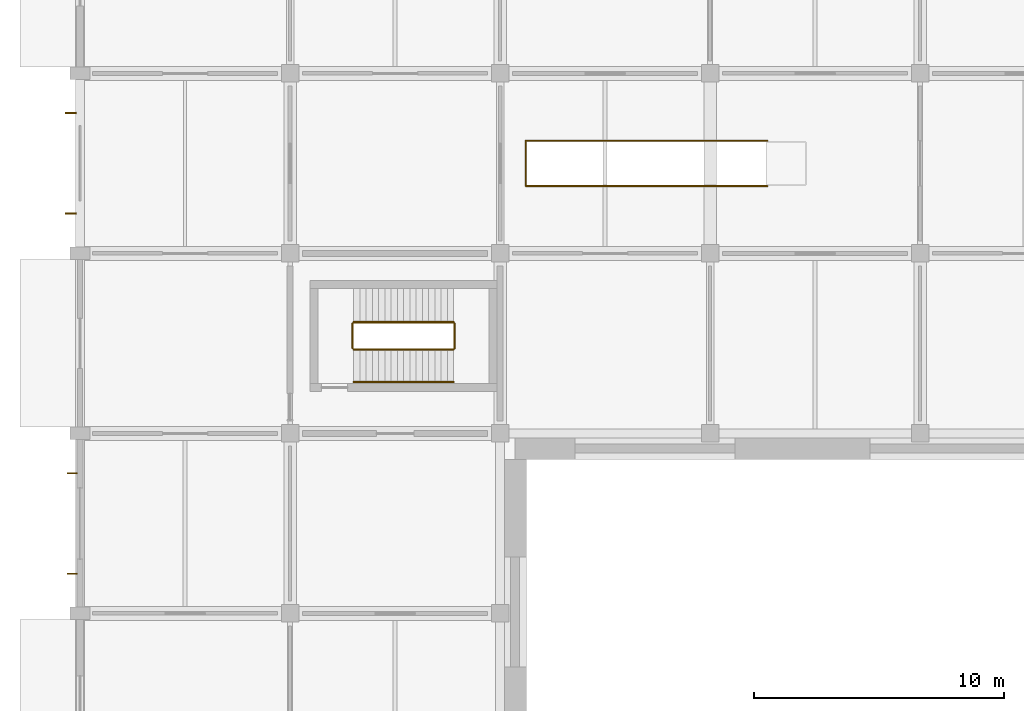
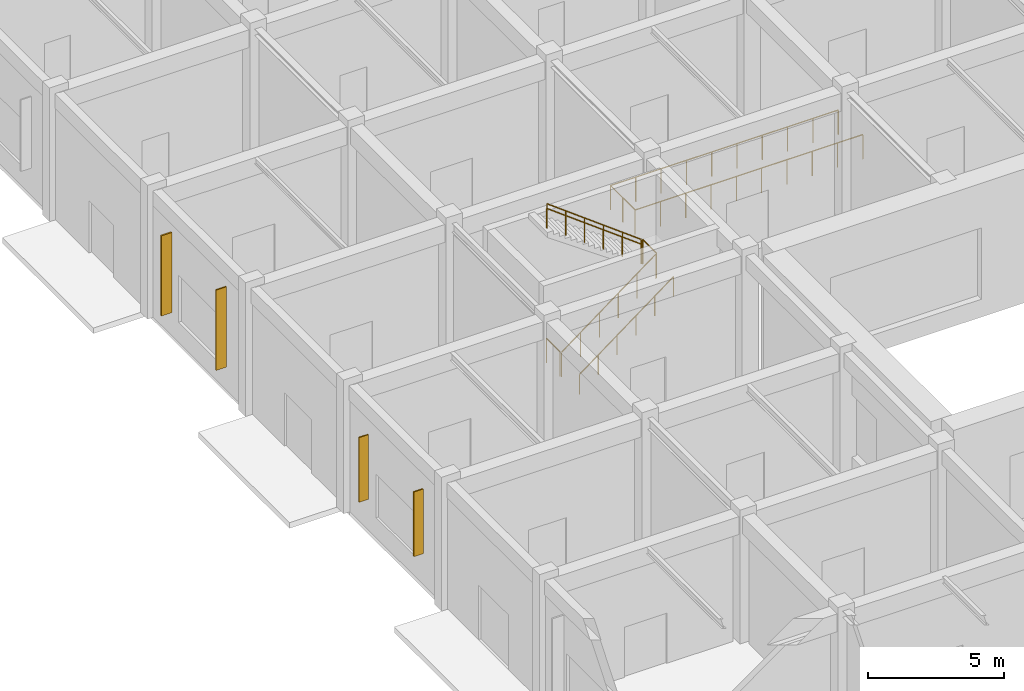
# One storey, part 31 of 39: 9 railings, 4 shading devices.
"""IFC4 building model written with IfcOpenShell, lengths in metres."""

from ifc_helpers import new_model, si_unit, derived_unit, direction, frame, origin, origin_2d, place, context, subcontext, project, spatial, rectangle, circle, extrude, material, layer, layer_set, type_object, element, save


model = new_model("IFC4")

# Units and contexts
model_context = context("Model", 3, precision=1e-05, world=origin(), true_north=direction((0.0, 1.0)))
body_context = subcontext(model_context, "Body", "Model", "MODEL_VIEW")
ifc_project = project(units=[si_unit("LENGTHUNIT", "METRE"), si_unit("AREAUNIT", "SQUARE_METRE"), si_unit("VOLUMEUNIT", "CUBIC_METRE"), si_unit("PLANEANGLEUNIT", "RADIAN"), si_unit("MASSUNIT", "GRAM", prefix="KILO"), derived_unit("THERMALTRANSMITTANCEUNIT", [(si_unit("MASSUNIT", "GRAM", prefix="KILO"), 1), (si_unit("TIMEUNIT", "SECOND"), -3), (si_unit("THERMODYNAMICTEMPERATUREUNIT", "KELVIN"), -1)])], contexts=[model_context])

# Site, building, storey
site_placement = place(None, origin())
site = spatial("IfcSite", under=ifc_project, at=site_placement, CompositionType="ELEMENT")
building_placement = place(site_placement, origin())
building = spatial("IfcBuilding", under=site, at=building_placement, Name="Veldstrom Oceanarium and Marine Research Institute", CompositionType="ELEMENT")
storey_placement = place(building_placement, origin())
storey = spatial("IfcBuildingStorey", under=building, at=storey_placement, Name="L00", CompositionType="ELEMENT", Elevation=0.0)

# Railings
ifc_material_1 = material(Name="Duplex Stainless Steel Balustrade", Category="steel")
ifc_layer_1 = layer(ifc_material_1, 0.06005859375)
ifc_layer_set_1 = layer_set([ifc_layer_1], Name="ARC-RLG-GR1")
railing_type_1 = type_object("IfcRailingType", Name="ARC-RLG-GR1", PredefinedType="GUARDRAIL", material=ifc_layer_set_1)
railing_1_placement = place(storey_placement, frame((10.89990234375, 39.39990234375, 0.0)))
element("IfcRailing", 1, at=railing_1_placement, inside=storey, type_object=railing_type_1, Name="Stair Well Landing Guard ST3 L00", PredefinedType="GUARDRAIL", context=body_context, shape_type="SweptSolid", body=[
    extrude(circle(Radius=0.02392578125, at=origin_2d()), frame((0.0, 0.0, 1.09619140625), z_axis=(0.0, 1.0, 0.0), x_axis=(-1.0, 0.0, 0.0)), (0.0, 0.0, 1.0), 1.0),
    extrude(circle(Radius=0.02099609375, at=origin_2d()), origin(), (0.0, 0.0, 1.0), 1.072021484375),
    extrude(circle(Radius=0.02099609375, at=origin_2d()), frame((0.0, 1.0, 0.0)), (0.0, 0.0, 1.0), 1.072021484375),
])
railing_2_placement = place(storey_placement, frame((10.93994140625, 39.360107421875, 0.0)))
element("IfcRailing", 2, at=railing_2_placement, inside=storey, type_object=railing_type_1, Name="Stair Flight Guardrail ST3-L00-1", PredefinedType="GUARDRAIL", context=body_context, shape_type="SweptSolid", body=[
    extrude(circle(Radius=0.02392578125, at=origin_2d()), frame((0.0, 0.0, 1.09619140625), z_axis=(0.8, 0.0, 0.6), x_axis=(0.0, 1.0, 0.0)), (0.0, 0.0, 1.0), 5.0),
    extrude(circle(Radius=0.02099609375, at=origin_2d()), origin(), (0.0, 0.0, 1.0), 1.072021484375),
    extrude(circle(Radius=0.02099609375, at=origin_2d()), frame((0.800048828125, 0.0, 0.60009765625)), (0.0, 0.0, 1.0), 1.072021484375),
    extrude(circle(Radius=0.02099609375, at=origin_2d()), frame((1.60009765625, 0.0, 1.199951171875)), (0.0, 0.0, 1.0), 1.072021484375),
    extrude(circle(Radius=0.02099609375, at=origin_2d()), frame((2.39990234375, 0.0, 1.800048828125)), (0.0, 0.0, 1.0), 1.072021484375),
    extrude(circle(Radius=0.02099609375, at=origin_2d()), frame((3.199951171875, 0.0, 2.39990234375)), (0.0, 0.0, 1.0), 1.072021484375),
    extrude(circle(Radius=0.02099609375, at=origin_2d()), frame((4.0, 0.0, 3.0)), (0.0, 0.0, 1.0), 1.072021484375),
])
railing_3_placement = place(storey_placement, frame((14.97998046875, 39.39990234375, 3.0)))
element("IfcRailing", 3, at=railing_3_placement, inside=storey, type_object=railing_type_1, Name="Stair Half-Landing Guardrail ST3-L00", PredefinedType="GUARDRAIL", context=body_context, shape_type="SweptSolid", body=[
    extrude(circle(Radius=0.02392578125, at=origin_2d()), frame((0.0, 0.0, 1.09619140625), z_axis=(0.0, 1.0, 0.0), x_axis=(-1.0, 0.0, 0.0)), (0.0, 0.0, 1.0), 1.0),
    extrude(circle(Radius=0.02099609375, at=origin_2d()), origin(), (0.0, 0.0, 1.0), 1.072021484375),
    extrude(circle(Radius=0.02099609375, at=origin_2d()), frame((0.0, 1.0, 0.0)), (0.0, 0.0, 1.0), 1.072021484375),
])
railing_4_placement = place(storey_placement, frame((14.93994140625, 40.43994140625, 3.0)))
element("IfcRailing", 4, at=railing_4_placement, inside=storey, type_object=railing_type_1, Name="Stair Flight Guardrail ST3-L00-2", PredefinedType="GUARDRAIL", context=body_context, shape_type="SweptSolid", body=[
    extrude(circle(Radius=0.02392578125, at=origin_2d()), frame((0.0, 0.0, 1.09619140625), z_axis=(-0.8, 0.0, 0.6), x_axis=(0.0, -1.0, 0.0)), (0.0, 0.0, 1.0), 5.0),
    extrude(circle(Radius=0.02099609375, at=origin_2d()), origin(), (0.0, 0.0, 1.0), 1.072021484375),
    extrude(circle(Radius=0.02099609375, at=origin_2d()), frame((-0.800048828125, 0.0, 0.60009765625)), (0.0, 0.0, 1.0), 1.072021484375),
    extrude(circle(Radius=0.02099609375, at=origin_2d()), frame((-1.60009765625, 0.0, 1.199951171875)), (0.0, 0.0, 1.0), 1.072021484375),
    extrude(circle(Radius=0.02099609375, at=origin_2d()), frame((-2.39990234375, 0.0, 1.800048828125)), (0.0, 0.0, 1.0), 1.072021484375),
    extrude(circle(Radius=0.02099609375, at=origin_2d()), frame((-3.199951171875, 0.0, 2.39990234375)), (0.0, 0.0, 1.0), 1.072021484375),
    extrude(circle(Radius=0.02099609375, at=origin_2d()), frame((-4.0, 0.0, 3.0)), (0.0, 0.0, 1.0), 1.072021484375),
])
railing_5_placement = place(storey_placement, frame((17.830078125, 45.89501953125, 0.0)))
element("IfcRailing", 5, at=railing_5_placement, inside=storey, type_object=railing_type_1, Name="Gallery Stair Well Guardrail ST5-04-W", PredefinedType="GUARDRAIL", context=body_context, shape_type="SweptSolid", body=[
    extrude(circle(Radius=0.02392578125, at=origin_2d()), frame((0.0, 0.0, 1.09619140625), z_axis=(0.0, 1.0, 0.0), x_axis=(-1.0, 0.0, 0.0)), (0.0, 0.0, 1.0), 1.81005859375),
    extrude(circle(Radius=0.02099609375, at=origin_2d()), origin(), (0.0, 0.0, 1.0), 1.072021484375),
    extrude(circle(Radius=0.02099609375, at=origin_2d()), frame((0.0, 0.905029296875, 0.0)), (0.0, 0.0, 1.0), 1.072021484375),
    extrude(circle(Radius=0.02099609375, at=origin_2d()), frame((0.0, 1.81005859375, 0.0)), (0.0, 0.0, 1.0), 1.072021484375),
])
for number, where, name in (
    (6, (17.830078125, 45.89501953125, 0.0), "Gallery Stair Well Guardrail ST5-04-S"),
    (7, (17.830078125, 47.705078125, 0.0), "Gallery Stair Well Guardrail ST5-04-N"),
):
    element("IfcRailing", number, at=place(storey_placement, frame(where)), inside=storey, type_object=railing_type_1, Name=name, PredefinedType="GUARDRAIL", context=body_context, shape_type="SweptSolid", body=[
        extrude(circle(Radius=0.02392578125, at=origin_2d()), frame((0.0, 0.0, 1.09619140625), z_axis=(1.0, 0.0, 0.0), x_axis=(0.0, 1.0, 0.0)), (0.0, 0.0, 1.0), 9.659912109375),
        extrude(circle(Radius=0.02099609375, at=origin_2d()), origin(), (0.0, 0.0, 1.0), 1.072021484375),
        extrude(circle(Radius=0.02099609375, at=origin_2d()), frame((1.0732421875, 0.0, 0.0)), (0.0, 0.0, 1.0), 1.072021484375),
        extrude(circle(Radius=0.02099609375, at=origin_2d()), frame((2.146728515625, 0.0, 0.0)), (0.0, 0.0, 1.0), 1.072021484375),
        extrude(circle(Radius=0.02099609375, at=origin_2d()), frame((3.219970703125, 0.0, 0.0)), (0.0, 0.0, 1.0), 1.072021484375),
        extrude(circle(Radius=0.02099609375, at=origin_2d()), frame((4.293212890625, 0.0, 0.0)), (0.0, 0.0, 1.0), 1.072021484375),
        extrude(circle(Radius=0.02099609375, at=origin_2d()), frame((5.36669921875, 0.0, 0.0)), (0.0, 0.0, 1.0), 1.072021484375),
        extrude(circle(Radius=0.02099609375, at=origin_2d()), frame((6.43994140625, 0.0, 0.0)), (0.0, 0.0, 1.0), 1.072021484375),
        extrude(circle(Radius=0.02099609375, at=origin_2d()), frame((7.51318359375, 0.0, 0.0)), (0.0, 0.0, 1.0), 1.072021484375),
        extrude(circle(Radius=0.02099609375, at=origin_2d()), frame((8.586669921875, 0.0, 0.0)), (0.0, 0.0, 1.0), 1.072021484375),
        extrude(circle(Radius=0.02099609375, at=origin_2d()), frame((9.659912109375, 0.0, 0.0)), (0.0, 0.0, 1.0), 1.072021484375),
    ])
ifc_material_2 = material(Name="Brushed Stainless Steel Handrail", Category="steel")
ifc_layer_2 = layer(ifc_material_2, 0.050048828125)
ifc_layer_set_2 = layer_set([ifc_layer_2], Name="ARC-RLG-HR1")
railing_type_2 = type_object("IfcRailingType", Name="ARC-RLG-HR1", PredefinedType="HANDRAIL", material=ifc_layer_set_2)
railing_6_placement = place(storey_placement, frame((10.93994140625, 38.06005859375, 0.0)))
element("IfcRailing", 8, at=railing_6_placement, inside=storey, type_object=railing_type_2, Name="Stair Wall Handrail ST3-L00-1", PredefinedType="HANDRAIL", context=body_context, shape_type="SweptSolid", body=[
    extrude(circle(Radius=0.02392578125, at=origin_2d()), frame((0.0, 0.0, 0.8759765625), z_axis=(0.8, 0.0, 0.6), x_axis=(0.0, 1.0, 0.0)), (0.0, 0.0, 1.0), 5.0),
    extrude(circle(Radius=0.02099609375, at=origin_2d()), origin(), (0.0, 0.0, 1.0), 0.851806640625),
    extrude(circle(Radius=0.02099609375, at=origin_2d()), frame((0.800048828125, 0.0, 0.60009765625)), (0.0, 0.0, 1.0), 0.851806640625),
    extrude(circle(Radius=0.02099609375, at=origin_2d()), frame((1.60009765625, 0.0, 1.199951171875)), (0.0, 0.0, 1.0), 0.851806640625),
    extrude(circle(Radius=0.02099609375, at=origin_2d()), frame((2.39990234375, 0.0, 1.800048828125)), (0.0, 0.0, 1.0), 0.851806640625),
    extrude(circle(Radius=0.02099609375, at=origin_2d()), frame((3.199951171875, 0.0, 2.39990234375)), (0.0, 0.0, 1.0), 0.851806640625),
    extrude(circle(Radius=0.02099609375, at=origin_2d()), frame((4.0, 0.0, 3.0)), (0.0, 0.0, 1.0), 0.851806640625),
])
railing_7_placement = place(storey_placement, frame((14.93994140625, 40.4599609375, 3.0)))
element("IfcRailing", 9, at=railing_7_placement, inside=storey, type_object=railing_type_2, Name="Stair Wall Handrail ST3-L00-2", PredefinedType="HANDRAIL", context=body_context, shape_type="SweptSolid", body=[
    extrude(circle(Radius=0.02392578125, at=origin_2d()), frame((0.0, 0.0, 0.8759765625), z_axis=(-0.8, 0.0, 0.6), x_axis=(0.0, -1.0, 0.0)), (0.0, 0.0, 1.0), 5.0),
    extrude(circle(Radius=0.02099609375, at=origin_2d()), origin(), (0.0, 0.0, 1.0), 0.851806640625),
    extrude(circle(Radius=0.02099609375, at=origin_2d()), frame((-0.800048828125, 0.0, 0.60009765625)), (0.0, 0.0, 1.0), 0.851806640625),
    extrude(circle(Radius=0.02099609375, at=origin_2d()), frame((-1.60009765625, 0.0, 1.199951171875)), (0.0, 0.0, 1.0), 0.851806640625),
    extrude(circle(Radius=0.02099609375, at=origin_2d()), frame((-2.39990234375, 0.0, 1.800048828125)), (0.0, 0.0, 1.0), 0.851806640625),
    extrude(circle(Radius=0.02099609375, at=origin_2d()), frame((-3.199951171875, 0.0, 2.39990234375)), (0.0, 0.0, 1.0), 0.851806640625),
    extrude(circle(Radius=0.02099609375, at=origin_2d()), frame((-4.0, 0.0, 3.0)), (0.0, 0.0, 1.0), 0.851806640625),
])

# Shading devices
ifc_material_3 = material(Name="Precast Terracotta Brise-Soleil Louvre", Category="masonry")
ifc_layer_3 = layer(ifc_material_3, 3.60009765625)
ifc_layer_set_3 = layer_set([ifc_layer_3], Name="ARC-SHD-BS01")
shading_device_type_1 = type_object("IfcShadingDeviceType", Name="ARC-SHD-BS01", PredefinedType="JALOUSIE", material=ifc_layer_set_3)
for number, where, z_axis, x_axis, name in (
    (10, (-0.375, 44.7900390625, 1.037353515625), (0.0, 0.0, 1.0), (1.0, 0.0, 0.0), "Terracotta Brise-Soleil Louvre L00-004"),
    (11, (-0.375, 48.81005859375, 1.037353515625), (0.0, 0.0, 1.0), (1.0, 0.0, 0.0), "Terracotta Brise-Soleil Louvre L00-004"),
):
    element("IfcShadingDevice", number, at=place(storey_placement, frame(where, z_axis=z_axis, x_axis=x_axis)), inside=storey, type_object=shading_device_type_1, Name=name, PredefinedType="JALOUSIE", context=body_context, shape_type="SweptSolid", body=[
        extrude(rectangle(XDim=0.449951171875, YDim=0.06005859375, at=origin_2d()), origin(), (0.0, 0.0, 1.0), 3.60009765625),
    ])
ifc_material_4 = material(Name="Precast Terracotta Brise-Soleil Louvre", Category="masonry")
ifc_layer_4 = layer(ifc_material_4, 2.89990234375)
ifc_layer_set_4 = layer_set([ifc_layer_4], Name="ARC-SHD-BS04")
shading_device_type_2 = type_object("IfcShadingDeviceType", Name="ARC-SHD-BS04", PredefinedType="JALOUSIE", material=ifc_layer_set_4)
for number, where, z_axis, x_axis, name in (
    (12, (-0.320068359375, 30.389892578125, 1.387451171875), (0.0, 0.0, 1.0), (1.0, 0.0, 0.0), "Terracotta Brise-Soleil Louvre L00-003"),
    (13, (-0.320068359375, 34.409912109375, 1.387451171875), (0.0, 0.0, 1.0), (1.0, 0.0, 0.0), "Terracotta Brise-Soleil Louvre L00-003"),
):
    element("IfcShadingDevice", number, at=place(storey_placement, frame(where, z_axis=z_axis, x_axis=x_axis)), inside=storey, type_object=shading_device_type_2, Name=name, PredefinedType="JALOUSIE", context=body_context, shape_type="SweptSolid", body=[
        extrude(rectangle(XDim=0.39990234375, YDim=0.054931640625, at=origin_2d()), origin(), (0.0, 0.0, 1.0), 2.89990234375),
    ])

save(model, "model.ifc")
